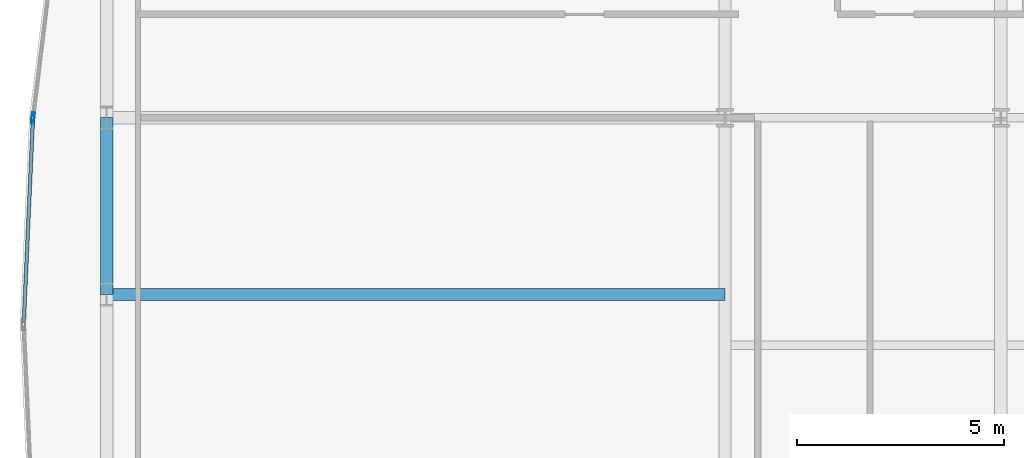
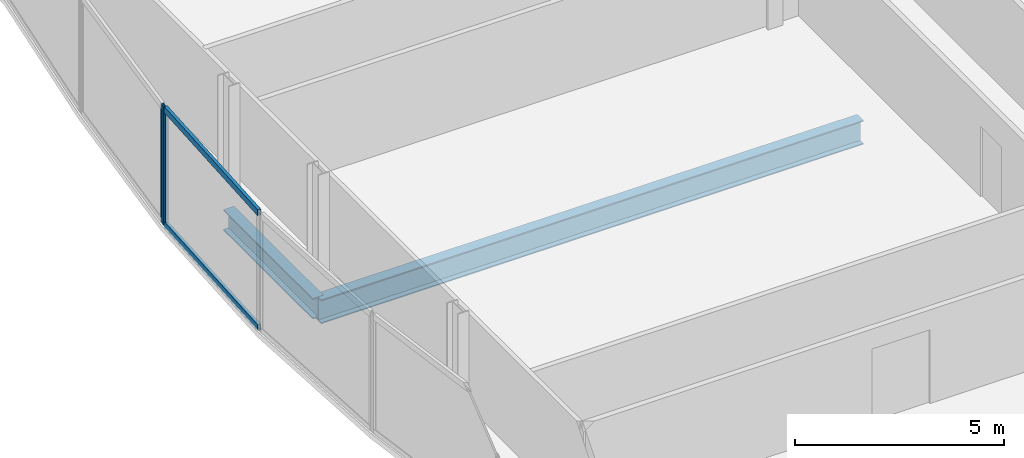
# One storey, part 11 of 31: 4 members, 2 beams, 2 elements without a shape of their own.
"""IFC4 building model written with IfcOpenShell, lengths in metres."""

from ifc_helpers import new_model, si_unit, direction, frame, origin, origin_2d, place, context, subcontext, project, spatial, hollow_rectangle, i_section, extrude, material, material_profile, profile_set, type_object, element, aggregate, save


model = new_model("IFC4")

# Units and contexts
model_context = context("Model", 3, precision=1e-05, world=origin(), true_north=direction((0.0, 1.0)))
body_context = subcontext(model_context, "Body", "Model", "MODEL_VIEW")
ifc_project = project(units=[si_unit("LENGTHUNIT", "METRE"), si_unit("AREAUNIT", "SQUARE_METRE"), si_unit("VOLUMEUNIT", "CUBIC_METRE"), si_unit("PLANEANGLEUNIT", "RADIAN"), si_unit("MASSUNIT", "GRAM", prefix="KILO")], contexts=[model_context])

# Site, building, storey
site_placement = place(None, origin())
site = spatial("IfcSite", under=ifc_project, at=site_placement, CompositionType="ELEMENT")
building_placement = place(site_placement, origin())
building = spatial("IfcBuilding", under=site, at=building_placement, Name="Khoronbel Lancet Exchange", CompositionType="ELEMENT")
storey_placement = place(building_placement, frame((0.0, 0.0, 121.800048828125)))
storey = spatial("IfcBuildingStorey", under=building, at=storey_placement, Name="L29", CompositionType="ELEMENT", Elevation=121.800048828125)

# Beams
ifc_material_1 = material(Name="Steel S355", Category="steel")
ifc_material_profile_1 = material_profile(ifc_material_1, i_section(OverallWidth=0.300048828125, OverallDepth=0.699951171875, WebThickness=0.01708984375, FlangeThickness=0.031982421875, at=origin_2d()), Name="HEB 700")
ifc_profile_set_1 = profile_set([ifc_material_profile_1], Name="Steel S355")
beam_type_1 = type_object("IfcBeamType", Name="BM-BG3", PredefinedType="BEAM", material=ifc_profile_set_1)
beam_1_placement = place(storey_placement, frame((3.27001953125, 31.425048828125, -0.510009765625), z_axis=(1.0, 0.0, 0.0), x_axis=(0.0, 1.0, 0.0)))
element("IfcBeam", 1, at=beam_1_placement, inside=storey, type_object=beam_type_1, Name="Level L29 west lens tie girder LG2W", PredefinedType="BEAM", context=body_context, shape_type="SweptSolid", body=[
    extrude(i_section(OverallWidth=0.300048828125, OverallDepth=0.699951171875, WebThickness=0.01708984375, FlangeThickness=0.031982421875, at=origin_2d()), origin(), (0.0, 0.0, 1.0), 14.955078125),
])
ifc_material_profile_2 = material_profile(ifc_material_1, i_section(OverallWidth=0.300048828125, OverallDepth=0.60009765625, WebThickness=0.015380859375, FlangeThickness=0.030029296875, at=origin_2d()), Name="HEB 600")
ifc_profile_set_2 = profile_set([ifc_material_profile_2], Name="Steel S355")
beam_type_2 = type_object("IfcBeamType", Name="BM-BSP2", PredefinedType="SPANDREL", material=ifc_profile_set_2)
beam_2_placement = place(storey_placement, frame((3.27001953125, 35.699951171875, -0.4599609375), z_axis=(0.0, -1.0, 0.0), x_axis=(1.0, 0.0, 0.0)))
element("IfcBeam", 2, at=beam_2_placement, inside=storey, type_object=beam_type_2, Name="Level L29 perimeter spandrel beam SP18", PredefinedType="SPANDREL", context=body_context, shape_type="SweptSolid", body=[
    extrude(i_section(OverallWidth=0.300048828125, OverallDepth=0.60009765625, WebThickness=0.015380859375, FlangeThickness=0.030029296875, at=origin_2d()), origin(), (0.0, 0.0, 1.0), 4.27490234375),
])

# Curtain wall, member
ifc_material_2 = material(Name="Low-E Solar Control Insulating Glass", Category="glass")
curtain_wall_type = type_object("IfcCurtainWallType", Name="CW-4", PredefinedType="NOTDEFINED", material=ifc_material_2)
curtain_wall_1_placement = place(storey_placement, origin())
curtain_wall_1 = element("IfcCurtainWall", 3, at=curtain_wall_1_placement, inside=storey, type_object=curtain_wall_type, Name="Unitised curtain wall CW-L29-E07", PredefinedType="NOTDEFINED")
ifc_material_3 = material(Name="Bronze-Anodised Aluminium 6063-T6", Category="aluminium")
ifc_material_profile_3 = material_profile(ifc_material_3, hollow_rectangle(XDim=0.074951171875, YDim=0.199951171875, WallThickness=0.0048828125, at=origin_2d()), Name="ALU MULLION 75x200")
ifc_profile_set_3 = profile_set([ifc_material_profile_3], Name="Bronze-Anodised Aluminium 6063-T6")
member_type_1 = type_object("IfcMemberType", Name="MEM-CWM2", PredefinedType="MULLION", material=ifc_profile_set_3)
member_1_placement = place(storey_placement, frame((1.486572265625, 35.655029296875, 0.0), z_axis=(0.0, 0.0, 1.0), x_axis=(-0.998993187014, 0.044862147736, 0.0)))
member_1 = element("IfcMember", 4, at=member_1_placement, type_object=member_type_1, Name="CW4 mullion 2", PredefinedType="MULLION", context=body_context, shape_type="SweptSolid", body=[
    extrude(hollow_rectangle(XDim=0.074951171875, YDim=0.199951171875, WallThickness=0.0048828125, at=origin_2d()), origin(), (0.0, 0.0, 1.0), 3.43994140625),
])

curtain_wall_2_placement = place(storey_placement, origin())
curtain_wall_2 = element("IfcCurtainWall", 5, at=curtain_wall_2_placement, inside=storey, type_object=curtain_wall_type, Name="Unitised curtain wall CW-L29-E08", PredefinedType="NOTDEFINED")
member_2_placement = place(storey_placement, frame((1.492919921875, 35.729736328125, 0.0), z_axis=(0.0, 0.0, 1.0), x_axis=(-0.992557199503, 0.121779332051, 0.0)))
member_2 = element("IfcMember", 6, at=member_2_placement, type_object=member_type_1, Name="CW4 mullion 1", PredefinedType="MULLION", context=body_context, shape_type="SweptSolid", body=[
    extrude(hollow_rectangle(XDim=0.074951171875, YDim=0.199951171875, WallThickness=0.0048828125, at=origin_2d()), origin(), (0.0, 0.0, 1.0), 3.43994140625),
])
aggregate(curtain_wall_2, [member_2])

# Member
ifc_material_profile_4 = material_profile(ifc_material_3, hollow_rectangle(XDim=0.0849609375, YDim=0.179931640625, WallThickness=0.0048828125, at=origin_2d()), Name="ALU TRANSOM 85x180")
ifc_profile_set_4 = profile_set([ifc_material_profile_4], Name="Bronze-Anodised Aluminium 6063-T6")
member_type_2 = type_object("IfcMemberType", Name="MEM-CWT1", PredefinedType="USERDEFINED", material=ifc_profile_set_4)
member_3_placement = place(storey_placement, frame((1.267578125, 30.77490234375, 0.04248046875), z_axis=(0.044822822519, 0.99899495223, 0.0), x_axis=(-0.99899495223, 0.044822822519, 0.0)))
member_3 = element("IfcMember", 7, at=member_3_placement, type_object=member_type_2, Name="CW4 transom 1.1", ObjectType="TRANSOM", PredefinedType="USERDEFINED", context=body_context, shape_type="SweptSolid", body=[
    extrude(hollow_rectangle(XDim=0.0849609375, YDim=0.179931640625, WallThickness=0.0048828125, at=origin_2d()), origin(), (0.0, 0.0, 1.0), 4.84765625),
])

member_4_placement = place(storey_placement, frame((1.267578125, 30.77490234375, 3.3974609375), z_axis=(0.044822822519, 0.99899495223, 0.0), x_axis=(-0.99899495223, 0.044822822519, 0.0)))
member_4 = element("IfcMember", 8, at=member_4_placement, type_object=member_type_2, Name="CW4 transom 1.2", ObjectType="TRANSOM", PredefinedType="USERDEFINED", context=body_context, shape_type="SweptSolid", body=[
    extrude(hollow_rectangle(XDim=0.0849609375, YDim=0.179931640625, WallThickness=0.0048828125, at=origin_2d()), origin(), (0.0, 0.0, 1.0), 4.84765625),
])

aggregate(curtain_wall_1, [member_1, member_3, member_4])

save(model, "model.ifc")
